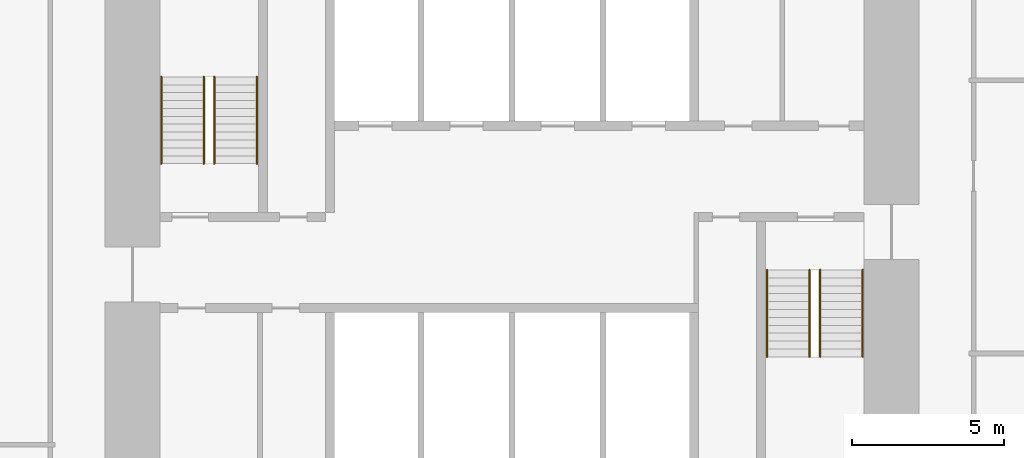
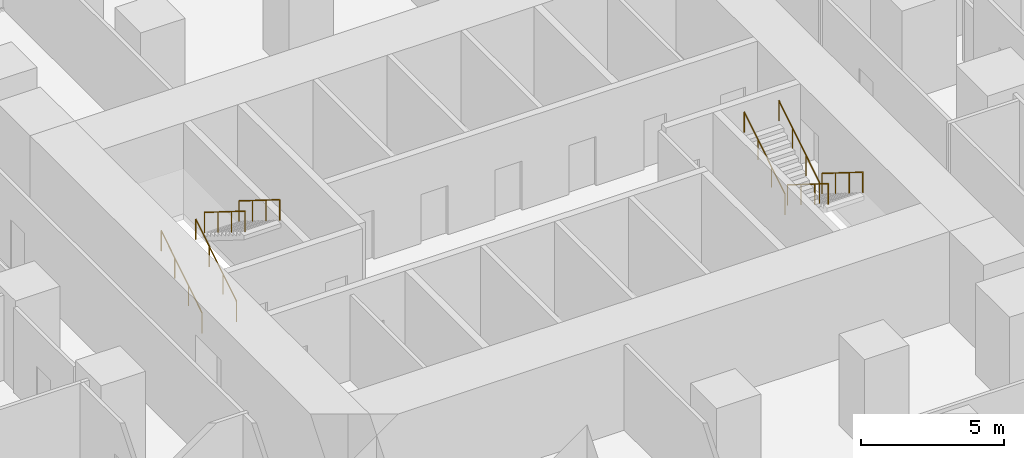
# One storey, part 12 of 12: 8 railings.
"""IFC4 building model written with IfcOpenShell, lengths in metres."""

from ifc_helpers import new_model, si_unit, direction, frame, origin, origin_2d, place, context, subcontext, project, spatial, circle, extrude, material, type_object, element, save


model = new_model("IFC4")

# Units and contexts
model_context = context("Model", 3, precision=1e-05, world=origin(), true_north=direction((0.0, 1.0)))
body_context = subcontext(model_context, "Body", "Model", "MODEL_VIEW")
ifc_project = project(units=[si_unit("LENGTHUNIT", "METRE"), si_unit("AREAUNIT", "SQUARE_METRE"), si_unit("VOLUMEUNIT", "CUBIC_METRE"), si_unit("PLANEANGLEUNIT", "RADIAN"), si_unit("MASSUNIT", "GRAM", prefix="KILO")], contexts=[model_context])

# Site, building, storey
site_placement = place(None, origin())
site = spatial("IfcSite", under=ifc_project, at=site_placement, CompositionType="ELEMENT")
building_placement = place(site_placement, origin())
building = spatial("IfcBuilding", under=site, at=building_placement, Name="Highveld Stack Headquarters", CompositionType="ELEMENT")
storey_placement = place(building_placement, frame((0.0, 0.0, 57.199951171875)))
storey = spatial("IfcBuildingStorey", under=building, at=storey_placement, Name="L13", CompositionType="ELEMENT", Elevation=57.199951171875)

# Railings
ifc_material = material(Name="Stainless steel handrail", Category="steel")
railing_type = type_object("IfcRailingType", Name="STAIR HANDRAIL HR1 900", PredefinedType="HANDRAIL", material=ifc_material)
for number, where, name in (
    (1, (-5.550048828125, 4.75, 0.16259765625), "Handrail S1 L13 flight 1"),
    (2, (-4.14990234375, 4.75, 0.16259765625), "Handrail S1 L13 flight 1"),
):
    element("IfcRailing", number, at=place(storey_placement, frame(where)), inside=storey, type_object=railing_type, Name=name, PredefinedType="HANDRAIL", context=body_context, shape_type="SweptSolid", body=[
        extrude(circle(Radius=0.02392578125, at=origin_2d()), frame((0.0, 0.0, 0.8759765625), z_axis=(0.0, 0.848026770018, 0.529953391661), x_axis=(-1.0, 0.0, 0.0)), (0.0, 0.0, 1.0), 3.37255859375),
        extrude(circle(Radius=0.02099609375, at=origin_2d()), origin(), (0.0, 0.0, 1.0), 0.851806640625),
        extrude(circle(Radius=0.02099609375, at=origin_2d()), frame((0.0, 0.953369140625, 0.595703125)), (0.0, 0.0, 1.0), 0.851806640625),
        extrude(circle(Radius=0.02099609375, at=origin_2d()), frame((0.0, 1.90673828125, 1.191650390625)), (0.0, 0.0, 1.0), 0.851806640625),
        extrude(circle(Radius=0.02099609375, at=origin_2d()), frame((0.0, 2.860107421875, 1.787353515625)), (0.0, 0.0, 1.0), 0.851806640625),
    ])
for number, where, name in (
    (3, (-3.800048828125, 7.610107421875, 2.112548828125), "Handrail S1 L13 flight 2"),
    (4, (-2.39990234375, 7.610107421875, 2.112548828125), "Handrail S1 L13 flight 2"),
):
    element("IfcRailing", number, at=place(storey_placement, frame(where)), inside=storey, type_object=railing_type, Name=name, PredefinedType="HANDRAIL", context=body_context, shape_type="SweptSolid", body=[
        extrude(circle(Radius=0.02392578125, at=origin_2d()), frame((0.0, 0.0, 0.8759765625), z_axis=(0.0, -0.847994237388, 0.530005446535), x_axis=(1.0, 0.0, 0.0)), (0.0, 0.0, 1.0), 3.372802734375),
        extrude(circle(Radius=0.02099609375, at=origin_2d()), origin(), (0.0, 0.0, 1.0), 0.851806640625),
        extrude(circle(Radius=0.02099609375, at=origin_2d()), frame((0.0, -0.953369140625, 0.595947265625)), (0.0, 0.0, 1.0), 0.851806640625),
        extrude(circle(Radius=0.02099609375, at=origin_2d()), frame((0.0, -1.90673828125, 1.191650390625)), (0.0, 0.0, 1.0), 0.851806640625),
        extrude(circle(Radius=0.02099609375, at=origin_2d()), frame((0.0, -2.860107421875, 1.78759765625)), (0.0, 0.0, 1.0), 0.851806640625),
    ])
for number, where, name in (
    (5, (16.14990234375, 1.25, 0.16259765625), "Handrail S2 L13 flight 1"),
    (6, (17.550048828125, 1.25, 0.16259765625), "Handrail S2 L13 flight 1"),
):
    element("IfcRailing", number, at=place(storey_placement, frame(where)), inside=storey, type_object=railing_type, Name=name, PredefinedType="HANDRAIL", context=body_context, shape_type="SweptSolid", body=[
        extrude(circle(Radius=0.02392578125, at=origin_2d()), frame((0.0, 0.0, 0.8759765625), z_axis=(0.0, -0.848026770018, 0.529953391661), x_axis=(1.0, 0.0, 0.0)), (0.0, 0.0, 1.0), 3.37255859375),
        extrude(circle(Radius=0.02099609375, at=origin_2d()), origin(), (0.0, 0.0, 1.0), 0.851806640625),
        extrude(circle(Radius=0.02099609375, at=origin_2d()), frame((0.0, -0.953369140625, 0.595703125)), (0.0, 0.0, 1.0), 0.851806640625),
        extrude(circle(Radius=0.02099609375, at=origin_2d()), frame((0.0, -1.90673828125, 1.191650390625)), (0.0, 0.0, 1.0), 0.851806640625),
        extrude(circle(Radius=0.02099609375, at=origin_2d()), frame((0.0, -2.860107421875, 1.787353515625)), (0.0, 0.0, 1.0), 0.851806640625),
    ])
for number, where, name in (
    (7, (14.39990234375, -1.610107421875, 2.112548828125), "Handrail S2 L13 flight 2"),
    (8, (15.800048828125, -1.610107421875, 2.112548828125), "Handrail S2 L13 flight 2"),
):
    element("IfcRailing", number, at=place(storey_placement, frame(where)), inside=storey, type_object=railing_type, Name=name, PredefinedType="HANDRAIL", context=body_context, shape_type="SweptSolid", body=[
        extrude(circle(Radius=0.02392578125, at=origin_2d()), frame((0.0, 0.0, 0.8759765625), z_axis=(0.0, 0.847994237388, 0.530005446535), x_axis=(-1.0, 0.0, 0.0)), (0.0, 0.0, 1.0), 3.372802734375),
        extrude(circle(Radius=0.02099609375, at=origin_2d()), origin(), (0.0, 0.0, 1.0), 0.851806640625),
        extrude(circle(Radius=0.02099609375, at=origin_2d()), frame((0.0, 0.953369140625, 0.595947265625)), (0.0, 0.0, 1.0), 0.851806640625),
        extrude(circle(Radius=0.02099609375, at=origin_2d()), frame((0.0, 1.90673828125, 1.191650390625)), (0.0, 0.0, 1.0), 0.851806640625),
        extrude(circle(Radius=0.02099609375, at=origin_2d()), frame((0.0, 2.860107421875, 1.78759765625)), (0.0, 0.0, 1.0), 0.851806640625),
    ])

save(model, "model.ifc")
